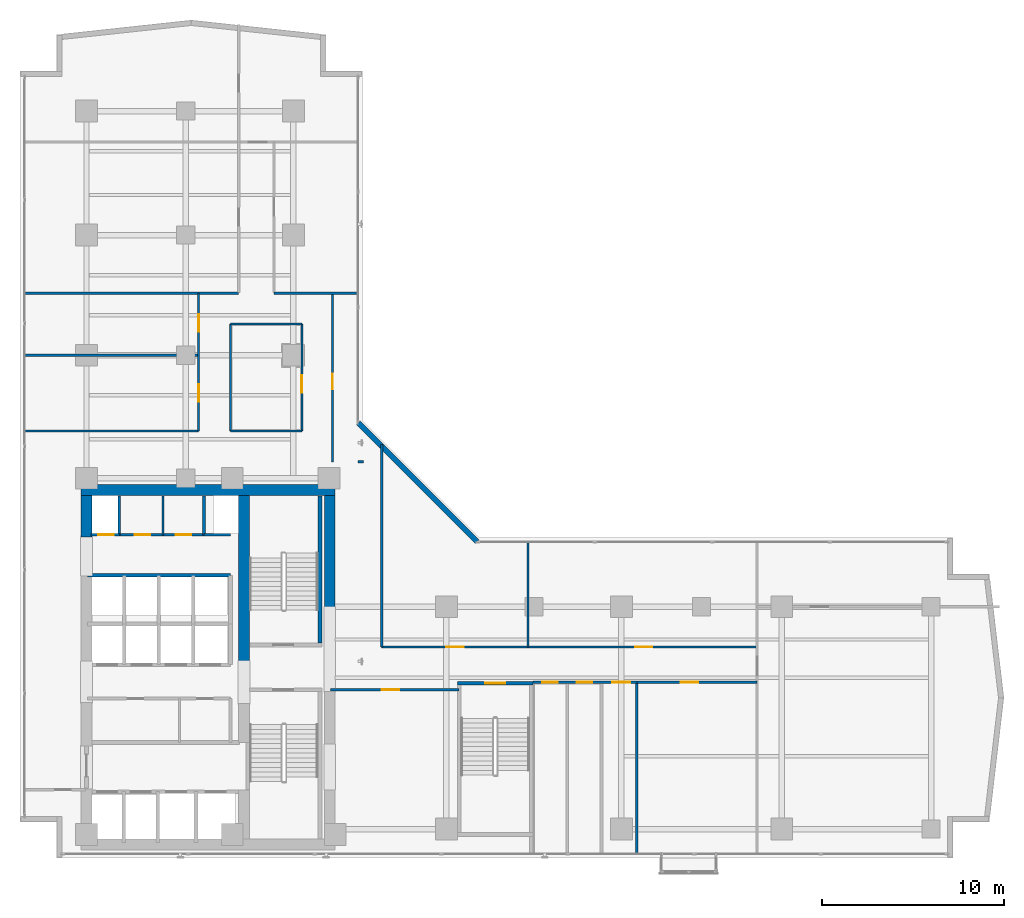
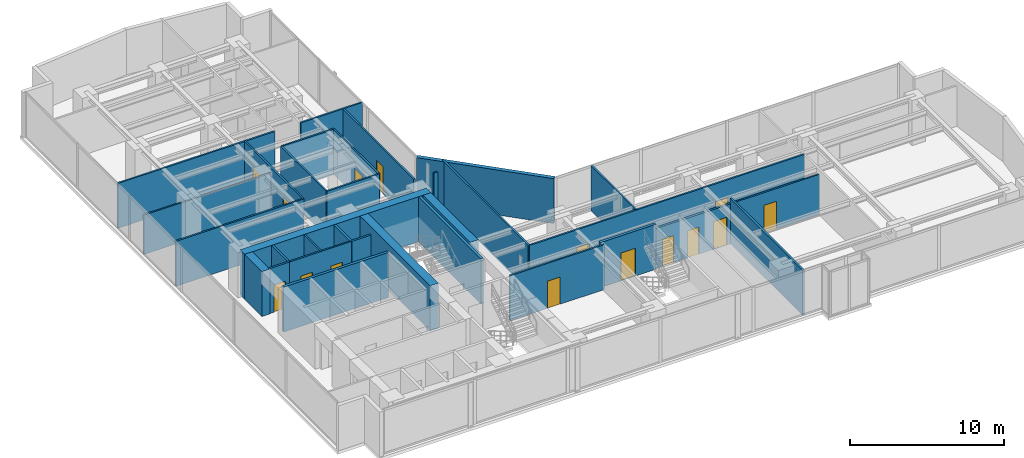
# One storey, part 20 of 26: 32 walls, 15 doors, 15 openings.
"""IFC4 building model written with IfcOpenShell, lengths in metres."""

from ifc_helpers import new_model, si_unit, direction, frame, frame_2d, origin, place, context, subcontext, project, spatial, rectangle, extrude, material, layer, layer_set, type_object, element, fill, save


model = new_model("IFC4")

# Units and contexts
model_context = context("Model", 3, precision=1e-05, world=origin(), true_north=direction((0.0, 1.0)))
body_context = subcontext(model_context, "Body", "Model", "MODEL_VIEW")
ifc_project = project(units=[si_unit("LENGTHUNIT", "METRE"), si_unit("AREAUNIT", "SQUARE_METRE"), si_unit("VOLUMEUNIT", "CUBIC_METRE"), si_unit("PLANEANGLEUNIT", "RADIAN"), si_unit("MASSUNIT", "GRAM", prefix="KILO")], contexts=[model_context])

# Site, building, storey
site_placement = place(None, origin())
site = spatial("IfcSite", under=ifc_project, at=site_placement, CompositionType="ELEMENT")
building_placement = place(site_placement, origin())
building = spatial("IfcBuilding", under=site, at=building_placement, Name="Kolvaren Waterfront Exchange", CompositionType="ELEMENT")
storey_placement = place(building_placement, frame((0.0, 0.0, 165.199951171875)))
storey = spatial("IfcBuildingStorey", under=building, at=storey_placement, Name="L42", CompositionType="ELEMENT", Elevation=165.199951171875)

# Wall
ifc_material_1 = material(Name="Precast concrete C40/50", Category="concrete")
ifc_layer_1 = layer(ifc_material_1, 0.280029296875, Name="Precast concrete C40/50")
ifc_layer_set_1 = layer_set([ifc_layer_1], Name="Precast concrete C40/50")
wall_type_1 = type_object("IfcWallType", Name="ARC-EXT-TERR-280", PredefinedType="SOLIDWALL", material=ifc_layer_set_1)
wall_1_placement = place(storey_placement, frame((28.885009765625, 20.97509765625, 0.0), z_axis=(0.0, 0.0, 1.0), x_axis=(-0.707106781187, 0.707106781187, 0.0)))
element("IfcWall", 1, at=wall_1_placement, inside=storey, type_object=wall_type_1, Name="L42 notched corner spandrel pier ELBOW", PredefinedType="SOLIDWALL", context=body_context, shape_type="SweptSolid", body=[
    extrude(rectangle(XDim=9.20654296875, YDim=0.280029296875, at=frame_2d((4.603271484375, 0.0))), origin(), (0.0, 0.0, 1.0), 3.56005859375),
])

# Wall, openings, doors
ifc_material_2 = material(Name="Acoustic gypsum steel stud", Category="steel")
ifc_layer_2 = layer(ifc_material_2, 0.125, Name="Acoustic gypsum steel stud")
ifc_layer_set_2 = layer_set([ifc_layer_2], Name="Acoustic gypsum steel stud")
wall_type_2 = type_object("IfcWallType", Name="ARC-PART-125", PredefinedType="PARTITIONING", material=ifc_layer_set_2)
wall_2_placement = place(storey_placement, frame((9.25, 21.35009765625, 0.0), z_axis=(0.0, 0.0, 1.0), x_axis=(1.0, 0.0, 0.0)))
wall_2 = element("IfcWall", 2, at=wall_2_placement, inside=storey, type_object=wall_type_2, Name="L42 interior wall PW-L42-SVC-EX-S", PredefinedType="PARTITIONING", context=body_context, shape_type="SweptSolid", body=[
    extrude(rectangle(XDim=4.64990234375, YDim=0.125, at=frame_2d((2.324951171875, 0.0))), origin(), (0.0, 0.0, 1.0), 3.56005859375),
])
opening_1_placement = place(wall_2_placement, frame((0.85009765625, 0.0, 0.0)))
opening_1 = element("IfcOpeningElement", 3, at=opening_1_placement, cuts=wall_2, Name="Opening D01", PredefinedType="OPENING", context=body_context, shape_type="SweptSolid", body=[
    extrude(rectangle(XDim=0.85009765625, YDim=2.14990234375, at=frame_2d((0.425048828125, 1.074951171875))), frame((0.0, 0.072509765625, 0.0), z_axis=(0.0, -1.0, 0.0), x_axis=(1.0, 0.0, 0.0)), (0.0, 0.0, 1.0), 0.14501953125),
])
opening_2_placement = place(wall_2_placement, frame((3.10009765625, 0.0, 0.0)))
opening_2 = element("IfcOpeningElement", 4, at=opening_2_placement, cuts=wall_2, Name="Opening D01", PredefinedType="OPENING", context=body_context, shape_type="SweptSolid", body=[
    extrude(rectangle(XDim=0.85009765625, YDim=2.14990234375, at=frame_2d((0.425048828125, 1.074951171875))), frame((0.0, 0.072509765625, 0.0), z_axis=(0.0, -1.0, 0.0), x_axis=(1.0, 0.0, 0.0)), (0.0, 0.0, 1.0), 0.14501953125),
])
ifc_material_3 = material(Name="Oak veneer timber leaf", Category="wood")
door_type_1 = type_object("IfcDoorType", Name="ARC-DR-900", OperationType="NOTDEFINED", PredefinedType="DOOR", material=ifc_material_3)
door_1_placement = place(opening_1_placement, origin())
door_1 = element("IfcDoor", 5, at=door_1_placement, inside=storey, type_object=door_type_1, Name="L42 door DR-L42-SVC-DR-1 (D01)", OperationType="SINGLE_SWING_LEFT", OverallHeight=2.14990234375, OverallWidth=0.85009765625, PredefinedType="DOOR", context=body_context, shape_type="SweptSolid", body=[
    extrude(rectangle(XDim=0.85009765625, YDim=2.14990234375, at=frame_2d((0.425048828125, 1.074951171875))), frame((0.0, 0.02490234375, 0.0), z_axis=(0.0, -1.0, 0.0), x_axis=(1.0, 0.0, 0.0)), (0.0, 0.0, 1.0), 0.050048828125),
])
fill(opening_1, door_1)
door_2_placement = place(opening_2_placement, origin())
door_2 = element("IfcDoor", 6, at=door_2_placement, inside=storey, type_object=door_type_1, Name="L42 door DR-L42-SVC-DR-2 (D01)", OperationType="SINGLE_SWING_RIGHT", OverallHeight=2.14990234375, OverallWidth=0.85009765625, PredefinedType="DOOR", context=body_context, shape_type="SweptSolid", body=[
    extrude(rectangle(XDim=0.85009765625, YDim=2.14990234375, at=frame_2d((0.425048828125, 1.074951171875))), frame((0.0, 0.02490234375, 0.0), z_axis=(0.0, -1.0, 0.0), x_axis=(1.0, 0.0, 0.0)), (0.0, 0.0, 1.0), 0.050048828125),
])
fill(opening_2, door_2)

# Walls
wall_3_placement = place(storey_placement, frame((11.64990234375, 21.35009765625, 0.0), z_axis=(0.0, 0.0, 1.0), x_axis=(0.0, 1.0, 0.0)))
element("IfcWall", 7, at=wall_3_placement, inside=storey, type_object=wall_type_2, Name="L42 interior wall PW-L42-SVC-EX-M1", PredefinedType="PARTITIONING", context=body_context, shape_type="SweptSolid", body=[
    extrude(rectangle(XDim=2.1298828125, YDim=0.125, at=frame_2d((1.06494140625, 0.0))), origin(), (0.0, 0.0, 1.0), 3.56005859375),
])
for number, where, z_axis, x_axis, name in (
    (8, (15.35009765625, 27.050048828125, 0.0), (0.0, 0.0, 1.0), (1.0, 0.0, 0.0), "L42 interior wall PW-L42-ISL-S"),
    (9, (15.35009765625, 32.919921875, 0.0), (0.0, 0.0, 1.0), (1.0, 0.0, 0.0), "L42 interior wall PW-L42-ISL-N"),
):
    element("IfcWall", number, at=place(storey_placement, frame(where, z_axis=z_axis, x_axis=x_axis)), inside=storey, type_object=wall_type_2, Name=name, PredefinedType="PARTITIONING", context=body_context, shape_type="SweptSolid", body=[
        extrude(rectangle(XDim=3.919921875, YDim=0.125, at=frame_2d((1.9599609375, 0.0))), origin(), (0.0, 0.0, 1.0), 3.56005859375),
    ])
wall_4_placement = place(storey_placement, frame((15.35009765625, 27.050048828125, 0.0), z_axis=(0.0, 0.0, 1.0), x_axis=(0.0, 1.0, 0.0)))
element("IfcWall", 10, at=wall_4_placement, inside=storey, type_object=wall_type_2, Name="L42 interior wall PW-L42-ISL-W", PredefinedType="PARTITIONING", context=body_context, shape_type="SweptSolid", body=[
    extrude(rectangle(XDim=5.869873046875, YDim=0.125, at=frame_2d((2.93505859375, 0.0))), origin(), (0.0, 0.0, 1.0), 3.56005859375),
])

# Wall, opening, door
wall_5_placement = place(storey_placement, frame((19.27001953125, 27.050048828125, 0.0), z_axis=(0.0, 0.0, 1.0), x_axis=(0.0, 1.0, 0.0)))
wall_5 = element("IfcWall", 11, at=wall_5_placement, inside=storey, type_object=wall_type_2, Name="L42 interior wall PW-L42-ISL-E", PredefinedType="PARTITIONING", context=body_context, shape_type="SweptSolid", body=[
    extrude(rectangle(XDim=5.869873046875, YDim=0.125, at=frame_2d((2.93505859375, 0.0))), origin(), (0.0, 0.0, 1.0), 3.56005859375),
])
opening_3_placement = place(wall_5_placement, frame((2.106201171875, 0.0, 0.0)))
opening_3 = element("IfcOpeningElement", 12, at=opening_3_placement, cuts=wall_5, Name="Opening D02", PredefinedType="OPENING", context=body_context, shape_type="SweptSolid", body=[
    extrude(rectangle(XDim=0.949951171875, YDim=2.14990234375, at=frame_2d((0.47509765625, 1.074951171875))), frame((0.0, 0.072509765625, 0.0), z_axis=(0.0, -1.0, 0.0), x_axis=(1.0, 0.0, 0.0)), (0.0, 0.0, 1.0), 0.14501953125),
])
ifc_material_4 = material(Name="Oak veneer acoustic timber", Category="wood")
door_type_2 = type_object("IfcDoorType", Name="ARC-DR-950", OperationType="NOTDEFINED", PredefinedType="DOOR", material=ifc_material_4)
door_3_placement = place(opening_3_placement, origin())
door_3 = element("IfcDoor", 13, at=door_3_placement, inside=storey, type_object=door_type_2, Name="L42 door DR-L42-ISL-D (D02)", OperationType="SINGLE_SWING_LEFT", OverallHeight=2.14990234375, OverallWidth=0.949951171875, PredefinedType="DOOR", context=body_context, shape_type="SweptSolid", body=[
    extrude(rectangle(XDim=0.949951171875, YDim=2.14990234375, at=frame_2d((0.47509765625, 1.074951171875))), frame((0.0, 0.02490234375, 0.0), z_axis=(0.0, -1.0, 0.0), x_axis=(1.0, 0.0, 0.0)), (0.0, 0.0, 1.0), 0.050048828125),
])
fill(opening_3, door_3)

# Wall, openings, doors
wall_6_placement = place(storey_placement, frame((13.60009765625, 27.050048828125, 0.0), z_axis=(0.0, 0.0, 1.0), x_axis=(0.0, 1.0, 0.0)))
wall_6 = element("IfcWall", 14, at=wall_6_placement, inside=storey, type_object=wall_type_2, Name="L42 interior wall PW-L42-MWL-E", PredefinedType="PARTITIONING", context=body_context, shape_type="SweptSolid", body=[
    extrude(rectangle(XDim=7.550048828125, YDim=0.125, at=frame_2d((3.77490234375, 0.0))), origin(), (0.0, 0.0, 1.0), 3.56005859375),
])
opening_4_placement = place(wall_6_placement, frame((1.60009765625, 0.0, 0.0)))
opening_4 = element("IfcOpeningElement", 15, at=opening_4_placement, cuts=wall_6, Name="Opening D02", PredefinedType="OPENING", context=body_context, shape_type="SweptSolid", body=[
    extrude(rectangle(XDim=0.949951171875, YDim=2.14990234375, at=frame_2d((0.47509765625, 1.074951171875))), frame((0.0, 0.072509765625, 0.0), z_axis=(0.0, -1.0, 0.0), x_axis=(1.0, 0.0, 0.0)), (0.0, 0.0, 1.0), 0.14501953125),
])
opening_5_placement = place(wall_6_placement, frame((5.445556640625, 0.0, 0.0)))
opening_5 = element("IfcOpeningElement", 16, at=opening_5_placement, cuts=wall_6, Name="Opening D02", PredefinedType="OPENING", context=body_context, shape_type="SweptSolid", body=[
    extrude(rectangle(XDim=0.949951171875, YDim=2.14990234375, at=frame_2d((0.47509765625, 1.074951171875))), frame((0.0, 0.072509765625, 0.0), z_axis=(0.0, -1.0, 0.0), x_axis=(1.0, 0.0, 0.0)), (0.0, 0.0, 1.0), 0.14501953125),
])
door_4_placement = place(opening_4_placement, origin())
door_4 = element("IfcDoor", 17, at=door_4_placement, inside=storey, type_object=door_type_2, Name="L42 door DR-L42-MWL1A-D (D02)", OperationType="SINGLE_SWING_LEFT", OverallHeight=2.14990234375, OverallWidth=0.949951171875, PredefinedType="DOOR", context=body_context, shape_type="SweptSolid", body=[
    extrude(rectangle(XDim=0.949951171875, YDim=2.14990234375, at=frame_2d((0.47509765625, 1.074951171875))), frame((0.0, 0.02490234375, 0.0), z_axis=(0.0, -1.0, 0.0), x_axis=(1.0, 0.0, 0.0)), (0.0, 0.0, 1.0), 0.050048828125),
])
fill(opening_4, door_4)
door_5_placement = place(opening_5_placement, origin())
door_5 = element("IfcDoor", 18, at=door_5_placement, inside=storey, type_object=door_type_2, Name="L42 door DR-L42-MWL1B-D (D02)", OperationType="SINGLE_SWING_RIGHT", OverallHeight=2.14990234375, OverallWidth=0.949951171875, PredefinedType="DOOR", context=body_context, shape_type="SweptSolid", body=[
    extrude(rectangle(XDim=0.949951171875, YDim=2.14990234375, at=frame_2d((0.47509765625, 1.074951171875))), frame((0.0, 0.02490234375, 0.0), z_axis=(0.0, -1.0, 0.0), x_axis=(1.0, 0.0, 0.0)), (0.0, 0.0, 1.0), 0.050048828125),
])
fill(opening_5, door_5)

# Walls
wall_7_placement = place(storey_placement, frame((4.0400390625, 27.050048828125, 0.0), z_axis=(0.0, 0.0, 1.0), x_axis=(1.0, 0.0, 0.0)))
element("IfcWall", 19, at=wall_7_placement, inside=storey, type_object=wall_type_2, Name="L42 interior wall PW-L42-MWL-S", PredefinedType="PARTITIONING", context=body_context, shape_type="SweptSolid", body=[
    extrude(rectangle(XDim=9.56005859375, YDim=0.125, at=frame_2d((4.780029296875, 0.0))), origin(), (0.0, 0.0, 1.0), 3.56005859375),
])
wall_8_placement = place(storey_placement, frame((4.0400390625, 34.60009765625, 0.0), z_axis=(0.0, 0.0, 1.0), x_axis=(1.0, 0.0, 0.0)))
element("IfcWall", 20, at=wall_8_placement, inside=storey, type_object=wall_type_2, Name="L42 interior wall PW-L42-MWL-N", PredefinedType="PARTITIONING", context=body_context, shape_type="SweptSolid", body=[
    extrude(rectangle(XDim=11.760009765625, YDim=0.125, at=frame_2d((5.8798828125, 0.0))), origin(), (0.0, 0.0, 1.0), 3.56005859375),
])
wall_9_placement = place(storey_placement, frame((4.0400390625, 31.199951171875, 0.0), z_axis=(0.0, 0.0, 1.0), x_axis=(1.0, 0.0, 0.0)))
element("IfcWall", 21, at=wall_9_placement, inside=storey, type_object=wall_type_2, Name="L42 interior wall PW-L42-MWL-M", PredefinedType="PARTITIONING", context=body_context, shape_type="SweptSolid", body=[
    extrude(rectangle(XDim=9.56005859375, YDim=0.125, at=frame_2d((4.780029296875, 0.0))), origin(), (0.0, 0.0, 1.0), 3.110107421875),
])

# Wall, opening, door
wall_10_placement = place(storey_placement, frame((20.85009765625, 12.85009765625, 0.0), z_axis=(0.0, 0.0, 1.0), x_axis=(1.0, 0.0, 0.0)))
wall_10 = element("IfcWall", 22, at=wall_10_placement, inside=storey, type_object=wall_type_2, Name="L42 interior wall PW-L42-SWST3-N", PredefinedType="PARTITIONING", context=body_context, shape_type="SweptSolid", body=[
    extrude(rectangle(XDim=7.0498046875, YDim=0.125, at=frame_2d((3.52490234375, 0.0))), origin(), (0.0, 0.0, 1.0), 3.56005859375),
])
opening_6_placement = place(wall_10_placement, frame((2.800048828125, 0.0, 0.0)))
opening_6 = element("IfcOpeningElement", 23, at=opening_6_placement, cuts=wall_10, Name="Opening D02", PredefinedType="OPENING", context=body_context, shape_type="SweptSolid", body=[
    extrude(rectangle(XDim=0.949951171875, YDim=2.14990234375, at=frame_2d((0.47509765625, 1.074951171875))), frame((0.0, 0.072509765625, 0.0), z_axis=(0.0, -1.0, 0.0), x_axis=(1.0, 0.0, 0.0)), (0.0, 0.0, 1.0), 0.14501953125),
])
door_6_placement = place(opening_6_placement, origin())
door_6 = element("IfcDoor", 24, at=door_6_placement, inside=storey, type_object=door_type_2, Name="L42 door DR-L42-SWST3-D (D02)", OperationType="SINGLE_SWING_RIGHT", OverallHeight=2.14990234375, OverallWidth=0.949951171875, PredefinedType="DOOR", context=body_context, shape_type="SweptSolid", body=[
    extrude(rectangle(XDim=0.949951171875, YDim=2.14990234375, at=frame_2d((0.47509765625, 1.074951171875))), frame((0.0, 0.02490234375, 0.0), z_axis=(0.0, -1.0, 0.0), x_axis=(1.0, 0.0, 0.0)), (0.0, 0.0, 1.0), 0.050048828125),
])
fill(opening_6, door_6)

wall_11_placement = place(storey_placement, frame((20.949951171875, 25.35009765625, 0.0), z_axis=(0.0, 0.0, 1.0), x_axis=(0.0, 1.0, 0.0)))
wall_11 = element("IfcWall", 25, at=wall_11_placement, inside=storey, type_object=wall_type_2, Name="L42 interior wall PW-L42-RFLANK-W", PredefinedType="PARTITIONING", context=body_context, shape_type="SweptSolid", body=[
    extrude(rectangle(XDim=9.25, YDim=0.125, at=frame_2d((4.625, 0.0))), origin(), (0.0, 0.0, 1.0), 3.56005859375),
])
opening_7_placement = place(wall_11_placement, frame((3.97314453125, 0.0, 0.0)))
opening_7 = element("IfcOpeningElement", 26, at=opening_7_placement, cuts=wall_11, Name="Opening D01", PredefinedType="OPENING", context=body_context, shape_type="SweptSolid", body=[
    extrude(rectangle(XDim=0.85009765625, YDim=2.14990234375, at=frame_2d((0.425048828125, 1.074951171875))), frame((0.0, 0.072509765625, 0.0), z_axis=(0.0, -1.0, 0.0), x_axis=(1.0, 0.0, 0.0)), (0.0, 0.0, 1.0), 0.14501953125),
])
door_7_placement = place(opening_7_placement, origin())
door_7 = element("IfcDoor", 27, at=door_7_placement, inside=storey, type_object=door_type_1, Name="L42 door DR-L42-RFLANK-D (D01)", OperationType="SINGLE_SWING_LEFT", OverallHeight=2.14990234375, OverallWidth=0.85009765625, PredefinedType="DOOR", context=body_context, shape_type="SweptSolid", body=[
    extrude(rectangle(XDim=0.85009765625, YDim=2.14990234375, at=frame_2d((0.425048828125, 1.074951171875))), frame((0.0, 0.02490234375, 0.0), z_axis=(0.0, -1.0, 0.0), x_axis=(1.0, 0.0, 0.0)), (0.0, 0.0, 1.0), 0.050048828125),
])
fill(opening_7, door_7)

# Walls
wall_12_placement = place(storey_placement, frame((22.64990234375, 25.35009765625, 0.0), z_axis=(0.0, 0.0, 1.0), x_axis=(-1.0, 0.0, 0.0)))
element("IfcWall", 28, at=wall_12_placement, inside=storey, type_object=wall_type_2, Name="L42 interior wall PW-L42-RFLANK-S", PredefinedType="PARTITIONING", context=body_context, shape_type="SweptSolid", body=[
    extrude(rectangle(XDim=0.289794921875, YDim=0.125, at=frame_2d((0.14501953125, 0.0))), origin(), (0.0, 0.0, 1.0), 3.56005859375),
])
wall_13_placement = place(storey_placement, frame((17.739990234375, 34.60009765625, 0.0), z_axis=(0.0, 0.0, 1.0), x_axis=(1.0, 0.0, 0.0)))
element("IfcWall", 29, at=wall_13_placement, inside=storey, type_object=wall_type_2, Name="L42 interior wall PW-L42-RFLANK-N", PredefinedType="PARTITIONING", context=body_context, shape_type="SweptSolid", body=[
    extrude(rectangle(XDim=4.6201171875, YDim=0.125, at=frame_2d((2.31005859375, 0.0))), origin(), (0.0, 0.0, 1.0), 3.56005859375),
])

# Wall, opening, door
wall_14_placement = place(storey_placement, frame((37.64990234375, 13.25, 0.0), z_axis=(0.0, 0.0, 1.0), x_axis=(1.0, 0.0, 0.0)))
wall_14 = element("IfcWall", 30, at=wall_14_placement, inside=storey, type_object=wall_type_2, Name="L42 interior wall PW-L42-ES-CORR", PredefinedType="PARTITIONING", context=body_context, shape_type="SweptSolid", body=[
    extrude(rectangle(XDim=6.60009765625, YDim=0.125, at=frame_2d((3.300048828125, 0.0))), origin(), (0.0, 0.0, 1.0), 3.16015625),
])
opening_8_placement = place(wall_14_placement, frame((2.422119140625, 0.0, 0.0)))
opening_8 = element("IfcOpeningElement", 31, at=opening_8_placement, cuts=wall_14, Name="Opening D02", PredefinedType="OPENING", context=body_context, shape_type="SweptSolid", body=[
    extrude(rectangle(XDim=0.949951171875, YDim=2.14990234375, at=frame_2d((0.47509765625, 1.074951171875))), frame((0.0, 0.072509765625, 0.0), z_axis=(0.0, -1.0, 0.0), x_axis=(1.0, 0.0, 0.0)), (0.0, 0.0, 1.0), 0.14501953125),
])
door_8_placement = place(opening_8_placement, origin())
door_8 = element("IfcDoor", 32, at=door_8_placement, inside=storey, type_object=door_type_2, Name="L42 door DR-L42-ES-D-1 (D02)", OperationType="SINGLE_SWING_RIGHT", OverallHeight=2.14990234375, OverallWidth=0.949951171875, PredefinedType="DOOR", context=body_context, shape_type="SweptSolid", body=[
    extrude(rectangle(XDim=0.949951171875, YDim=2.14990234375, at=frame_2d((0.47509765625, 1.074951171875))), frame((0.0, 0.02490234375, 0.0), z_axis=(0.0, -1.0, 0.0), x_axis=(1.0, 0.0, 0.0)), (0.0, 0.0, 1.0), 0.050048828125),
])
fill(opening_8, door_8)

# Wall
wall_15_placement = place(storey_placement, frame((23.64990234375, 15.18994140625, 0.0), z_axis=(0.0, 0.0, 1.0), x_axis=(0.0, 1.0, 0.0)))
element("IfcWall", 33, at=wall_15_placement, inside=storey, type_object=wall_type_2, Name="L42 interior wall PW-L42-EN-W0", PredefinedType="PARTITIONING", context=body_context, shape_type="SweptSolid", body=[
    extrude(rectangle(XDim=11.1201171875, YDim=0.125, at=frame_2d((5.56005859375, 0.0))), origin(), (0.0, 0.0, 1.0), 3.56005859375),
])

# Wall, openings, doors
wall_16_placement = place(storey_placement, frame((23.64990234375, 15.18994140625, 0.0), z_axis=(0.0, 0.0, 1.0), x_axis=(1.0, 0.0, 0.0)))
wall_16 = element("IfcWall", 34, at=wall_16_placement, inside=storey, type_object=wall_type_2, Name="L42 interior wall PW-L42-EN-CORR", PredefinedType="PARTITIONING", context=body_context, shape_type="SweptSolid", body=[
    extrude(rectangle(XDim=20.60009765625, YDim=0.125, at=frame_2d((10.300048828125, 0.0))), origin(), (0.0, 0.0, 1.0), 3.56005859375),
])
opening_9_placement = place(wall_16_placement, frame((3.5400390625, 0.0, 0.0)))
opening_9 = element("IfcOpeningElement", 35, at=opening_9_placement, cuts=wall_16, Name="Opening D02", PredefinedType="OPENING", context=body_context, shape_type="SweptSolid", body=[
    extrude(rectangle(XDim=0.949951171875, YDim=2.14990234375, at=frame_2d((0.47509765625, 1.074951171875))), frame((0.0, 0.072509765625, 0.0), z_axis=(0.0, -1.0, 0.0), x_axis=(1.0, 0.0, 0.0)), (0.0, 0.0, 1.0), 0.14501953125),
])
opening_10_placement = place(wall_16_placement, frame((13.910400390625, 0.0, 0.0)))
opening_10 = element("IfcOpeningElement", 36, at=opening_10_placement, cuts=wall_16, Name="Opening D02", PredefinedType="OPENING", context=body_context, shape_type="SweptSolid", body=[
    extrude(rectangle(XDim=0.949951171875, YDim=2.14990234375, at=frame_2d((0.47509765625, 1.074951171875))), frame((0.0, 0.072509765625, 0.0), z_axis=(0.0, -1.0, 0.0), x_axis=(1.0, 0.0, 0.0)), (0.0, 0.0, 1.0), 0.14501953125),
])
door_9_placement = place(opening_9_placement, origin())
door_9 = element("IfcDoor", 37, at=door_9_placement, inside=storey, type_object=door_type_2, Name="L42 door DR-L42-EN-D-1 (D02)", OperationType="SINGLE_SWING_LEFT", OverallHeight=2.14990234375, OverallWidth=0.949951171875, PredefinedType="DOOR", context=body_context, shape_type="SweptSolid", body=[
    extrude(rectangle(XDim=0.949951171875, YDim=2.14990234375, at=frame_2d((0.47509765625, 1.074951171875))), frame((0.0, 0.02490234375, 0.0), z_axis=(0.0, -1.0, 0.0), x_axis=(1.0, 0.0, 0.0)), (0.0, 0.0, 1.0), 0.050048828125),
])
fill(opening_9, door_9)
door_10_placement = place(opening_10_placement, origin())
door_10 = element("IfcDoor", 38, at=door_10_placement, inside=storey, type_object=door_type_2, Name="L42 door DR-L42-EN-D-2 (D02)", OperationType="SINGLE_SWING_RIGHT", OverallHeight=2.14990234375, OverallWidth=0.949951171875, PredefinedType="DOOR", context=body_context, shape_type="SweptSolid", body=[
    extrude(rectangle(XDim=0.949951171875, YDim=2.14990234375, at=frame_2d((0.47509765625, 1.074951171875))), frame((0.0, 0.02490234375, 0.0), z_axis=(0.0, -1.0, 0.0), x_axis=(1.0, 0.0, 0.0)), (0.0, 0.0, 1.0), 0.050048828125),
])
fill(opening_10, door_10)

# Walls
wall_17_placement = place(storey_placement, frame((31.679931640625, 15.18994140625, 0.0), z_axis=(0.0, 0.0, 1.0), x_axis=(0.0, 1.0, 0.0)))
element("IfcWall", 39, at=wall_17_placement, inside=storey, type_object=wall_type_2, Name="L42 interior wall PW-L42-EN-DIV-1", PredefinedType="PARTITIONING", context=body_context, shape_type="SweptSolid", body=[
    extrude(rectangle(XDim=5.77001953125, YDim=0.125, at=frame_2d((2.885009765625, 0.0))), origin(), (0.0, 0.0, 1.0), 3.56005859375),
])
ifc_material_5 = material(Name="Gypsum fireboard steel stud", Category="steel")
ifc_layer_3 = layer(ifc_material_5, 0.14990234375, Name="Gypsum fireboard steel stud")
ifc_layer_set_3 = layer_set([ifc_layer_3], Name="Gypsum fireboard steel stud")
wall_type_3 = type_object("IfcWallType", Name="ARC-PART-150", PredefinedType="PARTITIONING", material=ifc_layer_set_3)
for number, where, z_axis, x_axis, name in (
    (40, (9.25, 21.35009765625, 0.0), (0.0, 0.0, 1.0), (0.0, 1.0, 0.0), "L42 interior wall PW-L42-SVC-R1"),
    (41, (13.89990234375, 21.35009765625, 0.0), (0.0, 0.0, 1.0), (0.0, 1.0, 0.0), "L42 interior wall PW-L42-SVC-R2"),
):
    element("IfcWall", number, at=place(storey_placement, frame(where, z_axis=z_axis, x_axis=x_axis)), inside=storey, type_object=wall_type_3, Name=name, PredefinedType="PARTITIONING", context=body_context, shape_type="SweptSolid", body=[
        extrude(rectangle(XDim=2.1298828125, YDim=0.14990234375, at=frame_2d((1.06494140625, 0.0))), origin(), (0.0, 0.0, 1.0), 3.56005859375),
    ])

# Wall, opening, door
wall_18_placement = place(storey_placement, frame((7.699951171875, 21.35009765625, 0.0), z_axis=(0.0, 0.0, 1.0), x_axis=(1.0, 0.0, 0.0)))
wall_18 = element("IfcWall", 42, at=wall_18_placement, inside=storey, type_object=wall_type_3, Name="L42 interior wall PW-L42-SVC-RE-S", PredefinedType="PARTITIONING", context=body_context, shape_type="SweptSolid", body=[
    extrude(rectangle(XDim=1.550048828125, YDim=0.14990234375, at=frame_2d((0.77490234375, 0.0))), origin(), (0.0, 0.0, 1.0), 3.56005859375),
])
opening_11_placement = place(wall_18_placement, frame((0.389892578125, 0.0, 0.0)))
opening_11 = element("IfcOpeningElement", 43, at=opening_11_placement, cuts=wall_18, Name="Opening FD1", PredefinedType="OPENING", context=body_context, shape_type="SweptSolid", body=[
    extrude(rectangle(XDim=0.85009765625, YDim=2.14990234375, at=frame_2d((0.425048828125, 1.074951171875))), frame((0.0, 0.0849609375, 0.0), z_axis=(0.0, -1.0, 0.0), x_axis=(1.0, 0.0, 0.0)), (0.0, 0.0, 1.0), 0.169921875),
])
ifc_material_6 = material(Name="Pressed steel fire leaf", Category="steel")
door_type_3 = type_object("IfcDoorType", Name="ARC-FD-900", OperationType="NOTDEFINED", PredefinedType="DOOR", material=ifc_material_6)
door_11_placement = place(opening_11_placement, origin())
door_11 = element("IfcDoor", 44, at=door_11_placement, inside=storey, type_object=door_type_3, Name="L42 door DR-L42-RISER-E-DR (FD1)", OperationType="SINGLE_SWING_RIGHT", OverallHeight=2.14990234375, OverallWidth=0.85009765625, PredefinedType="DOOR", context=body_context, shape_type="SweptSolid", body=[
    extrude(rectangle(XDim=0.85009765625, YDim=2.14990234375, at=frame_2d((0.425048828125, 1.074951171875))), frame((0.0, 0.02490234375, 0.0), z_axis=(0.0, -1.0, 0.0), x_axis=(1.0, 0.0, 0.0)), (0.0, 0.0, 1.0), 0.050048828125),
])
fill(opening_11, door_11)

# Wall
wall_19_placement = place(storey_placement, frame((13.89990234375, 21.35009765625, 0.0), z_axis=(0.0, 0.0, 1.0), x_axis=(1.0, 0.0, 0.0)))
element("IfcWall", 45, at=wall_19_placement, inside=storey, type_object=wall_type_3, Name="L42 interior wall PW-L42-SVC-RP-S", PredefinedType="PARTITIONING", context=body_context, shape_type="SweptSolid", body=[
    extrude(rectangle(XDim=1.4501953125, YDim=0.14990234375, at=frame_2d((0.72509765625, 0.0))), origin(), (0.0, 0.0, 1.0), 3.56005859375),
])

# Wall, openings, doors
ifc_material_7 = material(Name="Moisture-resistant gypsum stud")
ifc_layer_4 = layer(ifc_material_7, 0.14990234375, Name="Moisture-resistant gypsum stud")
ifc_layer_set_4 = layer_set([ifc_layer_4], Name="Moisture-resistant gypsum stud")
wall_type_4 = type_object("IfcWallType", Name="ARC-PLUMB-150", PredefinedType="PLUMBINGWALL", material=ifc_layer_set_4)
wall_20_placement = place(storey_placement, frame((31.949951171875, 13.25, 0.0), z_axis=(0.0, 0.0, 1.0), x_axis=(1.0, 0.0, 0.0)))
wall_20 = element("IfcWall", 46, at=wall_20_placement, inside=storey, type_object=wall_type_4, Name="L42 interior wall PW-L42-WC-N", PredefinedType="PLUMBINGWALL", context=body_context, shape_type="SweptSolid", body=[
    extrude(rectangle(XDim=5.699951171875, YDim=0.14990234375, at=frame_2d((2.85009765625, 0.0))), origin(), (0.0, 0.0, 1.0), 3.16015625),
])
opening_12_placement = place(wall_20_placement, frame((0.514892578125, 0.0, 0.0)))
opening_12 = element("IfcOpeningElement", 47, at=opening_12_placement, cuts=wall_20, Name="Opening D01", PredefinedType="OPENING", context=body_context, shape_type="SweptSolid", body=[
    extrude(rectangle(XDim=0.85009765625, YDim=2.14990234375, at=frame_2d((0.425048828125, 1.074951171875))), frame((0.0, 0.0849609375, 0.0), z_axis=(0.0, -1.0, 0.0), x_axis=(1.0, 0.0, 0.0)), (0.0, 0.0, 1.0), 0.169921875),
])
opening_13_placement = place(wall_20_placement, frame((2.39501953125, 0.0, 0.0)))
opening_13 = element("IfcOpeningElement", 48, at=opening_13_placement, cuts=wall_20, Name="Opening D01", PredefinedType="OPENING", context=body_context, shape_type="SweptSolid", body=[
    extrude(rectangle(XDim=0.85009765625, YDim=2.14990234375, at=frame_2d((0.425048828125, 1.074951171875))), frame((0.0, 0.0849609375, 0.0), z_axis=(0.0, -1.0, 0.0), x_axis=(1.0, 0.0, 0.0)), (0.0, 0.0, 1.0), 0.169921875),
])
opening_14_placement = place(wall_20_placement, frame((4.35009765625, 0.0, 0.0)))
opening_14 = element("IfcOpeningElement", 49, at=opening_14_placement, cuts=wall_20, Name="Opening D03", PredefinedType="OPENING", context=body_context, shape_type="SweptSolid", body=[
    extrude(rectangle(XDim=1.0, YDim=2.199951171875, at=frame_2d((0.5, 1.10009765625))), frame((0.0, 0.0849609375, 0.0), z_axis=(0.0, -1.0, 0.0), x_axis=(1.0, 0.0, 0.0)), (0.0, 0.0, 1.0), 0.169921875),
])
ifc_material_8 = material(Name="Oak veneer accessible timber", Category="wood")
door_type_4 = type_object("IfcDoorType", Name="ARC-DR-1000", OperationType="NOTDEFINED", PredefinedType="DOOR", material=ifc_material_8)
door_12_placement = place(opening_14_placement, origin())
door_12 = element("IfcDoor", 50, at=door_12_placement, inside=storey, type_object=door_type_4, Name="L42 door DR-L42-WCA-D (D03)", OperationType="SINGLE_SWING_RIGHT", OverallHeight=2.199951171875, OverallWidth=1.0, PredefinedType="DOOR", context=body_context, shape_type="SweptSolid", body=[
    extrude(rectangle(XDim=1.0, YDim=2.199951171875, at=frame_2d((0.5, 1.10009765625))), frame((0.0, 0.02490234375, 0.0), z_axis=(0.0, -1.0, 0.0), x_axis=(1.0, 0.0, 0.0)), (0.0, 0.0, 1.0), 0.050048828125),
])
fill(opening_14, door_12)
door_13_placement = place(opening_12_placement, origin())
door_13 = element("IfcDoor", 51, at=door_13_placement, inside=storey, type_object=door_type_1, Name="L42 door DR-L42-WCM-D (D01)", OperationType="SINGLE_SWING_RIGHT", OverallHeight=2.14990234375, OverallWidth=0.85009765625, PredefinedType="DOOR", context=body_context, shape_type="SweptSolid", body=[
    extrude(rectangle(XDim=0.85009765625, YDim=2.14990234375, at=frame_2d((0.425048828125, 1.074951171875))), frame((0.0, 0.02490234375, 0.0), z_axis=(0.0, -1.0, 0.0), x_axis=(1.0, 0.0, 0.0)), (0.0, 0.0, 1.0), 0.050048828125),
])
fill(opening_12, door_13)
door_14_placement = place(opening_13_placement, origin())
door_14 = element("IfcDoor", 52, at=door_14_placement, inside=storey, type_object=door_type_1, Name="L42 door DR-L42-WCF-D (D01)", OperationType="SINGLE_SWING_LEFT", OverallHeight=2.14990234375, OverallWidth=0.85009765625, PredefinedType="DOOR", context=body_context, shape_type="SweptSolid", body=[
    extrude(rectangle(XDim=0.85009765625, YDim=2.14990234375, at=frame_2d((0.425048828125, 1.074951171875))), frame((0.0, 0.02490234375, 0.0), z_axis=(0.0, -1.0, 0.0), x_axis=(1.0, 0.0, 0.0)), (0.0, 0.0, 1.0), 0.050048828125),
])
fill(opening_13, door_14)

# Walls
wall_21_placement = place(storey_placement, frame((37.64990234375, 3.840087890625, 0.0), z_axis=(0.0, 0.0, 1.0), x_axis=(0.0, 1.0, 0.0)))
element("IfcWall", 53, at=wall_21_placement, inside=storey, type_object=wall_type_4, Name="L42 interior wall PW-L42-WC-3", PredefinedType="PLUMBINGWALL", context=body_context, shape_type="SweptSolid", body=[
    extrude(rectangle(XDim=9.409912109375, YDim=0.14990234375, at=frame_2d((4.705078125, 0.0))), origin(), (0.0, 0.0, 1.0), 3.56005859375),
])
ifc_material_9 = material(Name="Concrete C40/50", Category="concrete")
ifc_layer_5 = layer(ifc_material_9, 0.199951171875, Name="Concrete C40/50")
ifc_layer_set_5 = layer_set([ifc_layer_5], Name="Concrete C40/50")
wall_type_5 = type_object("IfcWallType", Name="ARC-SHAFT-200", PredefinedType="PARTITIONING", material=ifc_layer_set_5)
wall_22_placement = place(storey_placement, frame((20.260009765625, 15.39990234375, 0.0), z_axis=(0.0, 0.0, 1.0), x_axis=(0.0, 1.0, 0.0)))
element("IfcWall", 54, at=wall_22_placement, inside=storey, type_object=wall_type_5, Name="L42 structural stairwell wall PW-L42-ST2-E", PredefinedType="SHEAR", context=body_context, shape_type="SweptSolid", body=[
    extrude(rectangle(XDim=8.090087890625, YDim=0.199951171875, at=frame_2d((4.044921875, 0.0))), origin(), (0.0, 0.0, 1.0), 3.56005859375),
])

# Wall, opening, door
wall_23_placement = place(storey_placement, frame((27.800048828125, 13.199951171875, 0.0), z_axis=(0.0, 0.0, 1.0), x_axis=(1.0, 0.0, 0.0)))
wall_23 = element("IfcWall", 55, at=wall_23_placement, inside=storey, type_object=wall_type_5, Name="L42 structural stairwell wall PW-L42-ST3-N", PredefinedType="SHEAR", context=body_context, shape_type="SweptSolid", body=[
    extrude(rectangle(XDim=4.159912109375, YDim=0.199951171875, at=frame_2d((2.080078125, 0.0))), origin(), (0.0, 0.0, 1.0), 3.56005859375),
])
opening_15_placement = place(wall_23_placement, frame((1.530029296875, 0.0, 0.0)))
opening_15 = element("IfcOpeningElement", 56, at=opening_15_placement, cuts=wall_23, Name="Opening FD2", PredefinedType="OPENING", context=body_context, shape_type="SweptSolid", body=[
    extrude(rectangle(XDim=1.10009765625, YDim=2.199951171875, at=frame_2d((0.550048828125, 1.10009765625))), frame((0.0, 0.10986328125, 0.0), z_axis=(0.0, -1.0, 0.0), x_axis=(1.0, 0.0, 0.0)), (0.0, 0.0, 1.0), 0.219970703125),
])
ifc_material_10 = material(Name="Pressed steel smoke-seal fire door", Category="steel")
door_type_5 = type_object("IfcDoorType", Name="ARC-FD-1100", OperationType="NOTDEFINED", PredefinedType="DOOR", material=ifc_material_10)
door_15_placement = place(opening_15_placement, frame((1.10009765625, 0.0, 0.0), z_axis=(0.0, 0.0, 1.0), x_axis=(-1.0, 0.0, 0.0)))
door_15 = element("IfcDoor", 57, at=door_15_placement, inside=storey, type_object=door_type_5, Name="L42 door DR-L42-ST3-IN (FD2)", OperationType="SINGLE_SWING_RIGHT", OverallHeight=2.199951171875, OverallWidth=1.10009765625, PredefinedType="DOOR", context=body_context, shape_type="SweptSolid", body=[
    extrude(rectangle(XDim=1.10009765625, YDim=2.199951171875, at=frame_2d((0.550048828125, 1.10009765625))), frame((0.0, 0.02490234375, 0.0), z_axis=(0.0, -1.0, 0.0), x_axis=(1.0, 0.0, 0.0)), (0.0, 0.0, 1.0), 0.050048828125),
])
fill(opening_15, door_15)

# Walls
wall_24_placement = place(storey_placement, frame((7.5, 19.1201171875, 0.0), z_axis=(0.0, 0.0, 1.0), x_axis=(1.0, 0.0, 0.0)))
element("IfcWall", 58, at=wall_24_placement, inside=storey, type_object=wall_type_5, Name="L42 interior wall PW-L42-PH-N", PredefinedType="PARTITIONING", context=body_context, shape_type="SweptSolid", body=[
    extrude(rectangle(XDim=7.85009765625, YDim=0.199951171875, at=frame_2d((3.925048828125, 0.0))), origin(), (0.0, 0.0, 1.0), 3.56005859375),
])
ifc_material_11 = material(Name="Concrete C60/75", Category="concrete")
ifc_layer_6 = layer(ifc_material_11, 0.60009765625, Name="Concrete C60/75")
ifc_layer_set_6 = layer_set([ifc_layer_6], Name="Concrete C60/75")
wall_type_6 = type_object("IfcWallType", Name="STR-CWALL-600", PredefinedType="SHEAR", material=ifc_layer_set_6)
wall_25_placement = place(storey_placement, frame((7.14990234375, 23.800048828125, 0.0), z_axis=(0.0, 0.0, 1.0), x_axis=(1.0, 0.0, 0.0)))
element("IfcWall", 59, at=wall_25_placement, inside=storey, type_object=wall_type_6, Name="L42 rear-core shear wall N", PredefinedType="SHEAR", context=body_context, shape_type="SweptSolid", body=[
    extrude(rectangle(XDim=13.9501953125, YDim=0.60009765625, at=frame_2d((6.97509765625, 0.0))), origin(), (0.0, 0.0, 1.0), 3.56005859375),
])
wall_26_placement = place(storey_placement, frame((7.449951171875, 21.239990234375, 0.0), z_axis=(0.0, 0.0, 1.0), x_axis=(0.0, 1.0, 0.0)))
element("IfcWall", 60, at=wall_26_placement, inside=storey, type_object=wall_type_6, Name="L42 rear-core shear wall W3", PredefinedType="SHEAR", context=body_context, shape_type="SweptSolid", body=[
    extrude(rectangle(XDim=2.260009765625, YDim=0.60009765625, at=frame_2d((1.1298828125, 0.0))), origin(), (0.0, 0.0, 1.0), 3.56005859375),
])
wall_27_placement = place(storey_placement, frame((20.800048828125, 17.35009765625, 0.0), z_axis=(0.0, 0.0, 1.0), x_axis=(0.0, 1.0, 0.0)))
element("IfcWall", 61, at=wall_27_placement, inside=storey, type_object=wall_type_6, Name="L42 rear-core shear wall E3", PredefinedType="SHEAR", context=body_context, shape_type="SweptSolid", body=[
    extrude(rectangle(XDim=6.14990234375, YDim=0.60009765625, at=frame_2d((3.074951171875, 0.0))), origin(), (0.0, 0.0, 1.0), 3.56005859375),
])
wall_28_placement = place(storey_placement, frame((16.10009765625, 14.39990234375, 0.0), z_axis=(0.0, 0.0, 1.0), x_axis=(0.0, 1.0, 0.0)))
element("IfcWall", 62, at=wall_28_placement, inside=storey, type_object=wall_type_6, Name="L42 rear-core shear wall M3", PredefinedType="SHEAR", context=body_context, shape_type="SweptSolid", body=[
    extrude(rectangle(XDim=9.10009765625, YDim=0.60009765625, at=frame_2d((4.550048828125, 0.0))), origin(), (0.0, 0.0, 1.0), 3.56005859375),
])

save(model, "model.ifc")
